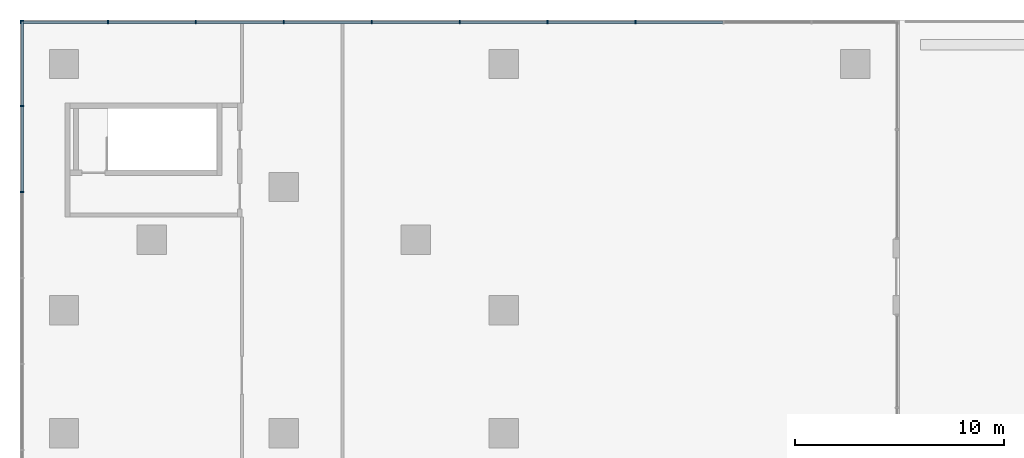
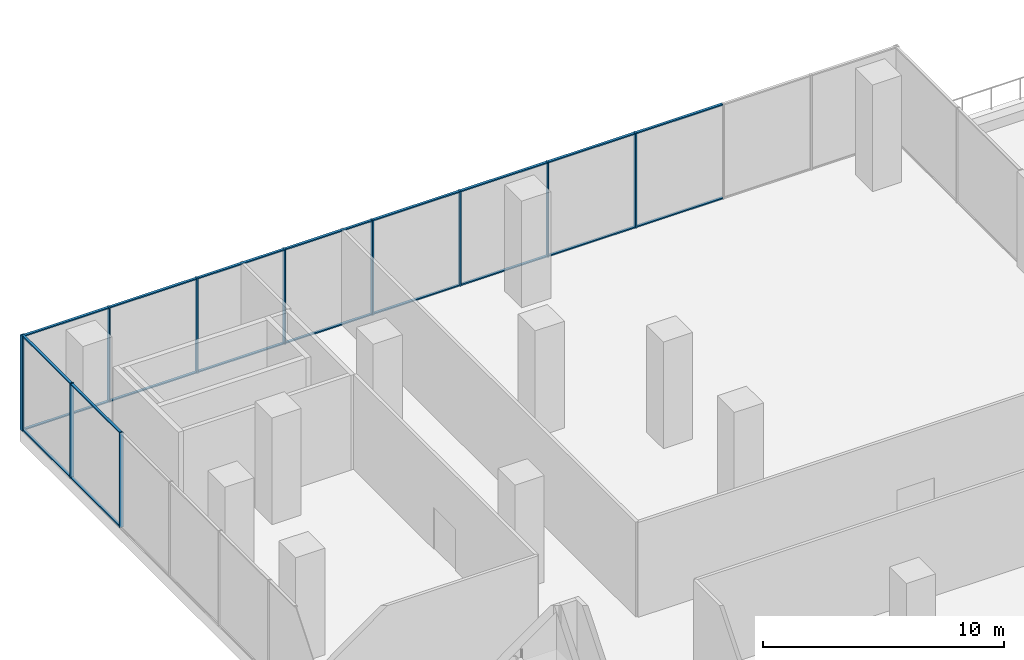
# One storey, part 10 of 21: 31 members, 2 elements without a shape of their own.
"""IFC4 building model written with IfcOpenShell, lengths in metres."""

from ifc_helpers import new_model, si_unit, direction, frame, origin, origin_2d, place, context, subcontext, project, spatial, rectangle, extrude, source, transform, mapped, material, layer, layer_set, material_profile, profile_set, type_object, element, aggregate, save


model = new_model("IFC4")

# Units and contexts
model_context = context("Model", 3, precision=1e-05, world=origin(), true_north=direction((0.0, 1.0)))
body_context = subcontext(model_context, "Body", "Model", "MODEL_VIEW")
ifc_project = project(units=[si_unit("LENGTHUNIT", "METRE"), si_unit("AREAUNIT", "SQUARE_METRE"), si_unit("VOLUMEUNIT", "CUBIC_METRE"), si_unit("PLANEANGLEUNIT", "RADIAN"), si_unit("MASSUNIT", "GRAM", prefix="KILO")], contexts=[model_context])

# Site, building, storey
site_placement = place(None, origin())
site = spatial("IfcSite", under=ifc_project, at=site_placement, CompositionType="ELEMENT")
building_placement = place(site_placement, origin())
building = spatial("IfcBuilding", under=site, at=building_placement, Name="Aurelian Terraces", CompositionType="ELEMENT")
storey_placement = place(building_placement, frame((0.0, 0.0, 29.1)))
storey = spatial("IfcBuildingStorey", under=building, at=storey_placement, Name="L05", CompositionType="ELEMENT", Elevation=29.1)

# Curtain wall, members
ifc_material_1 = material(Name="Anodised aluminium and clear glazing", Category="aluminium")
ifc_layer = layer(ifc_material_1, 0.2)
ifc_layer_set = layer_set([ifc_layer], Name="Winter garden glazing curtain wall")
curtain_wall_type = type_object("IfcCurtainWallType", Name="Winter garden glazing curtain wall", PredefinedType="NOTDEFINED", material=ifc_layer_set)
curtain_wall_1_placement = place(storey_placement, origin())
curtain_wall_1 = element("IfcCurtainWall", 1, at=curtain_wall_1_placement, inside=storey, type_object=curtain_wall_type, Name="Winter garden glazing L05 F05.1", PredefinedType="NOTDEFINED")
ifc_material_2 = material(Name="Anodised aluminium", Category="aluminium")
ifc_material_profile_1 = material_profile(ifc_material_2, rectangle(XDim=0.18, YDim=0.06, at=origin_2d()))
ifc_profile_set_1 = profile_set([ifc_material_profile_1], Name="Anodised aluminium")
member_type_1 = type_object("IfcMemberType", Name="Winter garden glazing mullion", PredefinedType="MULLION", material=ifc_profile_set_1)
shared_shape_1 = source(origin(), body_context, "Body", "SweptSolid", [
    extrude(rectangle(XDim=0.18, YDim=0.06, at=origin_2d()), origin(), (0.0, 0.0, 1.0), 4.8),
])
member_1_placement = place(storey_placement, frame((27.3, 71.72, 0.0), z_axis=(0.0, 0.0, 1.0), x_axis=(0.0, -1.0, 0.0)))
member_1 = element("IfcMember", 2, at=member_1_placement, type_object=member_type_1, Name="CW6 mullion 4", PredefinedType="MULLION", context=body_context, shape_type="MappedRepresentation", body=[
    mapped(shared_shape_1, transform((0.0, 0.0, 0.0), scale=1.0)),
])
member_2_placement = place(storey_placement, frame((23.1, 71.72, 0.0), z_axis=(0.0, 0.0, 1.0), x_axis=(0.0, -1.0, 0.0)))
member_2 = element("IfcMember", 3, at=member_2_placement, type_object=member_type_1, Name="CW6 mullion 5", PredefinedType="MULLION", context=body_context, shape_type="MappedRepresentation", body=[
    mapped(shared_shape_1, transform((0.0, 0.0, 0.0), scale=1.0)),
])
member_3_placement = place(storey_placement, frame((18.9, 71.72, 0.0), z_axis=(0.0, 0.0, 1.0), x_axis=(0.0, -1.0, 0.0)))
member_3 = element("IfcMember", 4, at=member_3_placement, type_object=member_type_1, Name="CW6 mullion 6", PredefinedType="MULLION", context=body_context, shape_type="MappedRepresentation", body=[
    mapped(shared_shape_1, transform((0.0, 0.0, 0.0), scale=1.0)),
])
member_4_placement = place(storey_placement, frame((14.7, 71.72, 0.0), z_axis=(0.0, 0.0, 1.0), x_axis=(0.0, -1.0, 0.0)))
member_4 = element("IfcMember", 5, at=member_4_placement, type_object=member_type_1, Name="CW6 mullion 7", PredefinedType="MULLION", context=body_context, shape_type="MappedRepresentation", body=[
    mapped(shared_shape_1, transform((0.0, 0.0, 0.0), scale=1.0)),
])
member_5_placement = place(storey_placement, frame((10.5, 71.72, 0.0), z_axis=(0.0, 0.0, 1.0), x_axis=(0.0, -1.0, 0.0)))
member_5 = element("IfcMember", 6, at=member_5_placement, type_object=member_type_1, Name="CW6 mullion 8", PredefinedType="MULLION", context=body_context, shape_type="MappedRepresentation", body=[
    mapped(shared_shape_1, transform((0.0, 0.0, 0.0), scale=1.0)),
])
member_6_placement = place(storey_placement, frame((6.3, 71.72, 0.0), z_axis=(0.0, 0.0, 1.0), x_axis=(0.0, -1.0, 0.0)))
member_6 = element("IfcMember", 7, at=member_6_placement, type_object=member_type_1, Name="CW6 mullion 9", PredefinedType="MULLION", context=body_context, shape_type="MappedRepresentation", body=[
    mapped(shared_shape_1, transform((0.0, 0.0, 0.0), scale=1.0)),
])
member_7_placement = place(storey_placement, frame((2.1, 71.72, 0.0), z_axis=(0.0, 0.0, 1.0), x_axis=(0.0, -1.0, 0.0)))
member_7 = element("IfcMember", 8, at=member_7_placement, type_object=member_type_1, Name="CW6 mullion 10", PredefinedType="MULLION", context=body_context, shape_type="MappedRepresentation", body=[
    mapped(shared_shape_1, transform((0.0, 0.0, 0.0), scale=1.0)),
])
member_8_placement = place(storey_placement, frame((-2.07, 71.72, 0.0), z_axis=(0.0, 0.0, 1.0), x_axis=(0.0, -1.0, 0.0)))
member_8 = element("IfcMember", 9, at=member_8_placement, type_object=member_type_1, Name="CW6 mullion 11", PredefinedType="MULLION", context=body_context, shape_type="MappedRepresentation", body=[
    mapped(shared_shape_1, transform((0.0, 0.0, 0.0), scale=1.0)),
])

curtain_wall_2_placement = place(storey_placement, origin())
curtain_wall_2 = element("IfcCurtainWall", 10, at=curtain_wall_2_placement, inside=storey, type_object=curtain_wall_type, Name="Winter garden glazing L05 F06.1", PredefinedType="NOTDEFINED")
member_9_placement = place(storey_placement, frame((-2.0, 71.79, 0.0), z_axis=(0.0, 0.0, 1.0), x_axis=(1.0, 0.0, 0.0)))
member_9 = element("IfcMember", 11, at=member_9_placement, type_object=member_type_1, Name="CW6 mullion 1", PredefinedType="MULLION", context=body_context, shape_type="MappedRepresentation", body=[
    mapped(shared_shape_1, transform((0.0, 0.0, 0.0), scale=1.0)),
])
member_10_placement = place(storey_placement, frame((-2.0, 67.7133, 0.0), z_axis=(0.0, 0.0, 1.0), x_axis=(1.0, 0.0, 0.0)))
member_10 = element("IfcMember", 12, at=member_10_placement, type_object=member_type_1, Name="CW6 mullion 2", PredefinedType="MULLION", context=body_context, shape_type="MappedRepresentation", body=[
    mapped(shared_shape_1, transform((0.0, 0.0, 0.0), scale=1.0)),
])
member_11_placement = place(storey_placement, frame((-2.0, 63.6067, 0.0), z_axis=(0.0, 0.0, 1.0), x_axis=(1.0, 0.0, 0.0)))
member_11 = element("IfcMember", 13, at=member_11_placement, type_object=member_type_1, Name="CW6 mullion 3", PredefinedType="MULLION", context=body_context, shape_type="MappedRepresentation", body=[
    mapped(shared_shape_1, transform((0.0, 0.0, 0.0), scale=1.0)),
])

# Member
ifc_material_profile_2 = material_profile(ifc_material_2, rectangle(XDim=0.12, YDim=0.06, at=origin_2d()))
ifc_profile_set_2 = profile_set([ifc_material_profile_2], Name="Anodised aluminium")
member_type_2 = type_object("IfcMemberType", Name="Winter garden glazing transom", PredefinedType="USERDEFINED", material=ifc_profile_set_2)
shared_shape_2 = source(origin(), body_context, "Body", "SweptSolid", [
    extrude(rectangle(XDim=0.12, YDim=0.06, at=origin_2d()), origin(), (0.0, 0.0, 1.0), 4.11),
])
member_12_placement = place(storey_placement, frame((2.07, 71.72, 0.03), z_axis=(-1.0, 0.0, 0.0), x_axis=(0.0, -1.0, 0.0)))
member_12 = element("IfcMember", 14, at=member_12_placement, type_object=member_type_2, Name="CW6 transom 10.1", ObjectType="TRANSOM", PredefinedType="USERDEFINED", context=body_context, shape_type="MappedRepresentation", body=[
    mapped(shared_shape_2, transform((0.0, 0.0, 0.0), scale=1.0)),
])

member_13_placement = place(storey_placement, frame((2.07, 71.72, 4.77), z_axis=(-1.0, 0.0, 0.0), x_axis=(0.0, -1.0, 0.0)))
member_13 = element("IfcMember", 15, at=member_13_placement, type_object=member_type_2, Name="CW6 transom 10.2", ObjectType="TRANSOM", PredefinedType="USERDEFINED", context=body_context, shape_type="MappedRepresentation", body=[
    mapped(shared_shape_2, transform((0.0, 0.0, 0.0), scale=1.0)),
])

shared_shape_3 = source(origin(), body_context, "Body", "SweptSolid", [
    extrude(rectangle(XDim=0.12, YDim=0.06, at=origin_2d()), origin(), (0.0, 0.0, 1.0), 4.14),
])
member_14_placement = place(storey_placement, frame((31.47, 71.72, 0.03), z_axis=(-1.0, 0.0, 0.0), x_axis=(0.0, -1.0, 0.0)))
member_14 = element("IfcMember", 16, at=member_14_placement, type_object=member_type_2, Name="CW6 transom 3.1", ObjectType="TRANSOM", PredefinedType="USERDEFINED", context=body_context, shape_type="MappedRepresentation", body=[
    mapped(shared_shape_3, transform((0.0, 0.0, 0.0), scale=1.0)),
])

member_15_placement = place(storey_placement, frame((31.47, 71.72, 4.77), z_axis=(-1.0, 0.0, 0.0), x_axis=(0.0, -1.0, 0.0)))
member_15 = element("IfcMember", 17, at=member_15_placement, type_object=member_type_2, Name="CW6 transom 3.2", ObjectType="TRANSOM", PredefinedType="USERDEFINED", context=body_context, shape_type="MappedRepresentation", body=[
    mapped(shared_shape_3, transform((0.0, 0.0, 0.0), scale=1.0)),
])

member_16_placement = place(storey_placement, frame((27.27, 71.72, 0.03), z_axis=(-1.0, 0.0, 0.0), x_axis=(0.0, -1.0, 0.0)))
member_16 = element("IfcMember", 18, at=member_16_placement, type_object=member_type_2, Name="CW6 transom 4.1", ObjectType="TRANSOM", PredefinedType="USERDEFINED", context=body_context, shape_type="MappedRepresentation", body=[
    mapped(shared_shape_3, transform((0.0, 0.0, 0.0), scale=1.0)),
])

member_17_placement = place(storey_placement, frame((27.27, 71.72, 4.77), z_axis=(-1.0, 0.0, 0.0), x_axis=(0.0, -1.0, 0.0)))
member_17 = element("IfcMember", 19, at=member_17_placement, type_object=member_type_2, Name="CW6 transom 4.2", ObjectType="TRANSOM", PredefinedType="USERDEFINED", context=body_context, shape_type="MappedRepresentation", body=[
    mapped(shared_shape_3, transform((0.0, 0.0, 0.0), scale=1.0)),
])

member_18_placement = place(storey_placement, frame((23.07, 71.72, 0.03), z_axis=(-1.0, 0.0, 0.0), x_axis=(0.0, -1.0, 0.0)))
member_18 = element("IfcMember", 20, at=member_18_placement, type_object=member_type_2, Name="CW6 transom 5.1", ObjectType="TRANSOM", PredefinedType="USERDEFINED", context=body_context, shape_type="MappedRepresentation", body=[
    mapped(shared_shape_3, transform((0.0, 0.0, 0.0), scale=1.0)),
])

member_19_placement = place(storey_placement, frame((23.07, 71.72, 4.77), z_axis=(-1.0, 0.0, 0.0), x_axis=(0.0, -1.0, 0.0)))
member_19 = element("IfcMember", 21, at=member_19_placement, type_object=member_type_2, Name="CW6 transom 5.2", ObjectType="TRANSOM", PredefinedType="USERDEFINED", context=body_context, shape_type="MappedRepresentation", body=[
    mapped(shared_shape_3, transform((0.0, 0.0, 0.0), scale=1.0)),
])

member_20_placement = place(storey_placement, frame((18.87, 71.72, 0.03), z_axis=(-1.0, 0.0, 0.0), x_axis=(0.0, -1.0, 0.0)))
member_20 = element("IfcMember", 22, at=member_20_placement, type_object=member_type_2, Name="CW6 transom 6.1", ObjectType="TRANSOM", PredefinedType="USERDEFINED", context=body_context, shape_type="MappedRepresentation", body=[
    mapped(shared_shape_3, transform((0.0, 0.0, 0.0), scale=1.0)),
])

member_21_placement = place(storey_placement, frame((18.87, 71.72, 4.77), z_axis=(-1.0, 0.0, 0.0), x_axis=(0.0, -1.0, 0.0)))
member_21 = element("IfcMember", 23, at=member_21_placement, type_object=member_type_2, Name="CW6 transom 6.2", ObjectType="TRANSOM", PredefinedType="USERDEFINED", context=body_context, shape_type="MappedRepresentation", body=[
    mapped(shared_shape_3, transform((0.0, 0.0, 0.0), scale=1.0)),
])

member_22_placement = place(storey_placement, frame((14.67, 71.72, 0.03), z_axis=(-1.0, 0.0, 0.0), x_axis=(0.0, -1.0, 0.0)))
member_22 = element("IfcMember", 24, at=member_22_placement, type_object=member_type_2, Name="CW6 transom 7.1", ObjectType="TRANSOM", PredefinedType="USERDEFINED", context=body_context, shape_type="MappedRepresentation", body=[
    mapped(shared_shape_3, transform((0.0, 0.0, 0.0), scale=1.0)),
])

member_23_placement = place(storey_placement, frame((14.67, 71.72, 4.77), z_axis=(-1.0, 0.0, 0.0), x_axis=(0.0, -1.0, 0.0)))
member_23 = element("IfcMember", 25, at=member_23_placement, type_object=member_type_2, Name="CW6 transom 7.2", ObjectType="TRANSOM", PredefinedType="USERDEFINED", context=body_context, shape_type="MappedRepresentation", body=[
    mapped(shared_shape_3, transform((0.0, 0.0, 0.0), scale=1.0)),
])

member_24_placement = place(storey_placement, frame((10.47, 71.72, 0.03), z_axis=(-1.0, 0.0, 0.0), x_axis=(0.0, -1.0, 0.0)))
member_24 = element("IfcMember", 26, at=member_24_placement, type_object=member_type_2, Name="CW6 transom 8.1", ObjectType="TRANSOM", PredefinedType="USERDEFINED", context=body_context, shape_type="MappedRepresentation", body=[
    mapped(shared_shape_3, transform((0.0, 0.0, 0.0), scale=1.0)),
])

member_25_placement = place(storey_placement, frame((10.47, 71.72, 4.77), z_axis=(-1.0, 0.0, 0.0), x_axis=(0.0, -1.0, 0.0)))
member_25 = element("IfcMember", 27, at=member_25_placement, type_object=member_type_2, Name="CW6 transom 8.2", ObjectType="TRANSOM", PredefinedType="USERDEFINED", context=body_context, shape_type="MappedRepresentation", body=[
    mapped(shared_shape_3, transform((0.0, 0.0, 0.0), scale=1.0)),
])

member_26_placement = place(storey_placement, frame((6.27, 71.72, 0.03), z_axis=(-1.0, 0.0, 0.0), x_axis=(0.0, -1.0, 0.0)))
member_26 = element("IfcMember", 28, at=member_26_placement, type_object=member_type_2, Name="CW6 transom 9.1", ObjectType="TRANSOM", PredefinedType="USERDEFINED", context=body_context, shape_type="MappedRepresentation", body=[
    mapped(shared_shape_3, transform((0.0, 0.0, 0.0), scale=1.0)),
])

member_27_placement = place(storey_placement, frame((6.27, 71.72, 4.77), z_axis=(-1.0, 0.0, 0.0), x_axis=(0.0, -1.0, 0.0)))
member_27 = element("IfcMember", 29, at=member_27_placement, type_object=member_type_2, Name="CW6 transom 9.2", ObjectType="TRANSOM", PredefinedType="USERDEFINED", context=body_context, shape_type="MappedRepresentation", body=[
    mapped(shared_shape_3, transform((0.0, 0.0, 0.0), scale=1.0)),
])

aggregate(curtain_wall_1, [member_1, member_2, member_3, member_4, member_5, member_6, member_7, member_8, member_14, member_15, member_16, member_17, member_18, member_19, member_20, member_21, member_22, member_23, member_24, member_25, member_26, member_27, member_12, member_13])

shared_shape_4 = source(origin(), body_context, "Body", "SweptSolid", [
    extrude(rectangle(XDim=0.12, YDim=0.06, at=origin_2d()), origin(), (0.0, 0.0, 1.0), 4.0167),
])
member_28_placement = place(storey_placement, frame((-2.0, 71.76, 0.03), z_axis=(0.0, -1.0, 0.0), x_axis=(1.0, 0.0, 0.0)))
member_28 = element("IfcMember", 30, at=member_28_placement, type_object=member_type_2, Name="CW6 transom 1.1", ObjectType="TRANSOM", PredefinedType="USERDEFINED", context=body_context, shape_type="MappedRepresentation", body=[
    mapped(shared_shape_4, transform((0.0, 0.0, 0.0), scale=1.0)),
])

member_29_placement = place(storey_placement, frame((-2.0, 71.76, 4.77), z_axis=(0.0, -1.0, 0.0), x_axis=(1.0, 0.0, 0.0)))
member_29 = element("IfcMember", 31, at=member_29_placement, type_object=member_type_2, Name="CW6 transom 1.2", ObjectType="TRANSOM", PredefinedType="USERDEFINED", context=body_context, shape_type="MappedRepresentation", body=[
    mapped(shared_shape_4, transform((0.0, 0.0, 0.0), scale=1.0)),
])

shared_shape_5 = source(origin(), body_context, "Body", "SweptSolid", [
    extrude(rectangle(XDim=0.12, YDim=0.06, at=origin_2d()), origin(), (0.0, 0.0, 1.0), 4.0466),
])
member_30_placement = place(storey_placement, frame((-2.0, 67.6833, 0.03), z_axis=(0.0, -1.0, 0.0), x_axis=(1.0, 0.0, 0.0)))
member_30 = element("IfcMember", 32, at=member_30_placement, type_object=member_type_2, Name="CW6 transom 2.1", ObjectType="TRANSOM", PredefinedType="USERDEFINED", context=body_context, shape_type="MappedRepresentation", body=[
    mapped(shared_shape_5, transform((0.0, 0.0, 0.0), scale=1.0)),
])

member_31_placement = place(storey_placement, frame((-2.0, 67.6833, 4.77), z_axis=(0.0, -1.0, 0.0), x_axis=(1.0, 0.0, 0.0)))
member_31 = element("IfcMember", 33, at=member_31_placement, type_object=member_type_2, Name="CW6 transom 2.2", ObjectType="TRANSOM", PredefinedType="USERDEFINED", context=body_context, shape_type="MappedRepresentation", body=[
    mapped(shared_shape_5, transform((0.0, 0.0, 0.0), scale=1.0)),
])

aggregate(curtain_wall_2, [member_9, member_10, member_11, member_28, member_29, member_30, member_31])

save(model, "model.ifc")
